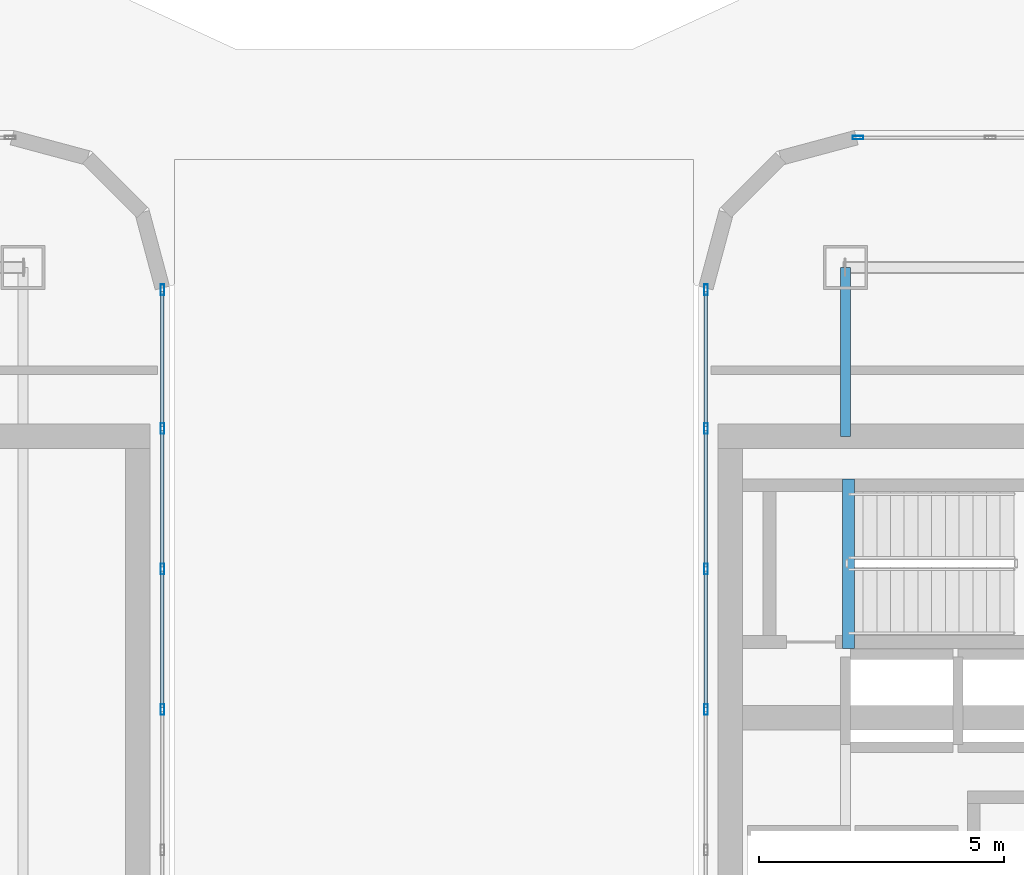
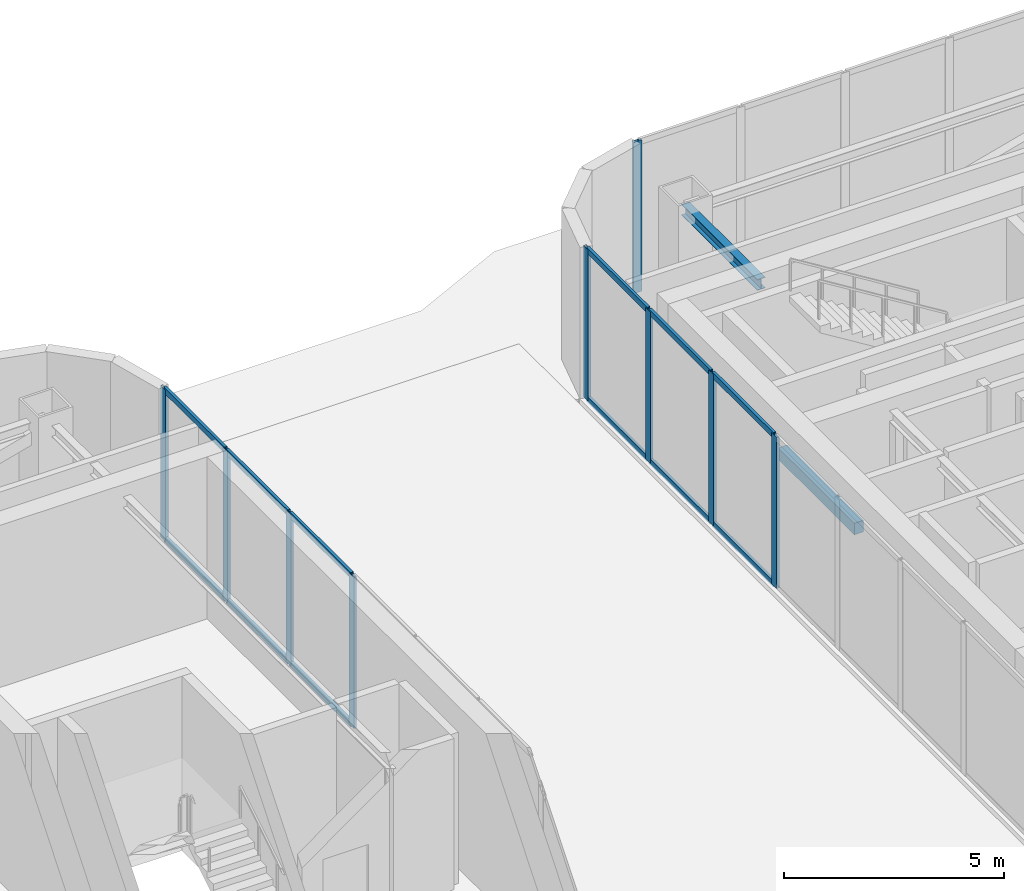
# One storey, part 5 of 14: 21 members, 2 beams, 3 elements without a shape of their own.
"""IFC4 building model written with IfcOpenShell, lengths in metres."""

from ifc_helpers import new_model, si_unit, direction, frame, origin, origin_2d, place, context, subcontext, project, spatial, rectangle, hollow_rectangle, i_section, extrude, material, layer, layer_set, material_profile, profile_set, type_object, element, aggregate, save


model = new_model("IFC4")

# Units and contexts
model_context = context("Model", 3, precision=1e-05, world=origin(), true_north=direction((0.0, 1.0)))
body_context = subcontext(model_context, "Body", "Model", "MODEL_VIEW")
ifc_project = project(units=[si_unit("LENGTHUNIT", "METRE"), si_unit("AREAUNIT", "SQUARE_METRE"), si_unit("VOLUMEUNIT", "CUBIC_METRE"), si_unit("PLANEANGLEUNIT", "RADIAN"), si_unit("MASSUNIT", "GRAM", prefix="KILO")], contexts=[model_context])

# Site, building, storey
site_placement = place(None, origin())
site = spatial("IfcSite", under=ifc_project, at=site_placement, CompositionType="ELEMENT")
building_placement = place(site_placement, origin())
building = spatial("IfcBuilding", under=site, at=building_placement, Name="Kiyonajd Concourse Tower", CompositionType="ELEMENT")
storey_placement = place(building_placement, frame((0.0, 0.0, 354.89990234375)))
storey = spatial("IfcBuildingStorey", under=building, at=storey_placement, Name="L89", CompositionType="ELEMENT", Elevation=354.89990234375)

# Beams
ifc_material_1 = material(Name="Steel ASTM A992 Grade 50", Category="steel")
ifc_material_profile_1 = material_profile(ifc_material_1, i_section(OverallWidth=0.2041015625, OverallDepth=0.305908203125, WebThickness=0.008544921875, FlangeThickness=0.0146484375, at=origin_2d()), Name="W310X67")
ifc_profile_set_1 = profile_set([ifc_material_profile_1], Name="Steel ASTM A992 Grade 50")
beam_type_1 = type_object("IfcBeamType", Name="BM-CRN-310", PredefinedType="BEAM", material=ifc_profile_set_1)
beam_1_placement = place(storey_placement, frame((56.39990234375, 44.14990234375, 4.007080078125), z_axis=(0.0, 1.0, 0.0), x_axis=(-1.0, 0.0, 0.0)))
element("IfcBeam", 1, at=beam_1_placement, inside=storey, type_object=beam_type_1, Name="L89 E Crown Ring Beam 4N", PredefinedType="BEAM", context=body_context, shape_type="SweptSolid", body=[
    extrude(i_section(OverallWidth=0.2041015625, OverallDepth=0.305908203125, WebThickness=0.008544921875, FlangeThickness=0.0146484375, at=origin_2d()), origin(), (0.0, 0.0, 1.0), 3.4501953125),
])
ifc_material_2 = material(Name="Concrete C50/60", Category="concrete")
ifc_material_profile_2 = material_profile(ifc_material_2, rectangle(XDim=0.239990234375, YDim=0.320068359375, at=origin_2d()), Name="RCBM-240x320")
ifc_profile_set_2 = profile_set([ifc_material_profile_2], Name="Concrete C50/60")
beam_type_2 = type_object("IfcBeamType", Name="BM-LNT-250", PredefinedType="LINTEL", material=ifc_profile_set_2)
beam_2_placement = place(storey_placement, frame((56.4599609375, 39.820068359375, -0.159912109375), z_axis=(0.0, 1.0, 0.0), x_axis=(-1.0, 0.0, 0.0)))
element("IfcBeam", 2, at=beam_2_placement, inside=storey, type_object=beam_type_2, Name="L89 Stair ST3 Threshold Support Beam", PredefinedType="LINTEL", context=body_context, shape_type="SweptSolid", body=[
    extrude(rectangle(XDim=0.239990234375, YDim=0.320068359375, at=origin_2d()), origin(), (0.0, 0.0, 1.0), 3.4599609375),
])

# Curtain wall, members
ifc_material_3 = material(Name="Thermally Broken Anodised Aluminium", Category="aluminium")
ifc_layer = layer(ifc_material_3, 0.179931640625)
ifc_layer_set = layer_set([ifc_layer], Name="Thermally Broken Anodised Aluminium")
curtain_wall_type = type_object("IfcCurtainWallType", Name="CW-SYS-06", PredefinedType="NOTDEFINED", material=ifc_layer_set)
curtain_wall_1_placement = place(storey_placement, origin())
curtain_wall_1 = element("IfcCurtainWall", 3, at=curtain_wall_1_placement, inside=storey, type_object=curtain_wall_type, Name="L89 Unitised Curtain Wall CW6", PredefinedType="NOTDEFINED")
ifc_material_profile_3 = material_profile(ifc_material_3, hollow_rectangle(XDim=0.074951171875, YDim=0.219970703125, WallThickness=0.0048828125, at=origin_2d()), Name="MULL-75x220")
ifc_profile_set_3 = profile_set([ifc_material_profile_3], Name="Thermally Broken Anodised Aluminium")
member_type_1 = type_object("IfcMemberType", Name="MB-CW-MULL2", PredefinedType="MULLION", material=ifc_profile_set_3)
member_1_placement = place(storey_placement, frame((42.449951171875, 47.142578125, 0.0), z_axis=(0.0, 0.0, 1.0), x_axis=(1.0, 0.0, 0.0)))
member_1 = element("IfcMember", 4, at=member_1_placement, type_object=member_type_1, Name="CW6 mullion 1", PredefinedType="MULLION", context=body_context, shape_type="SweptSolid", body=[
    extrude(hollow_rectangle(XDim=0.074951171875, YDim=0.219970703125, WallThickness=0.0048828125, at=origin_2d()), origin(), (0.0, 0.0, 1.0), 4.2001953125),
])
member_2_placement = place(storey_placement, frame((42.449951171875, 44.31005859375, 0.0), z_axis=(0.0, 0.0, 1.0), x_axis=(1.0, 0.0, 0.0)))
member_2 = element("IfcMember", 5, at=member_2_placement, type_object=member_type_1, Name="CW6 mullion 2", PredefinedType="MULLION", context=body_context, shape_type="SweptSolid", body=[
    extrude(hollow_rectangle(XDim=0.074951171875, YDim=0.219970703125, WallThickness=0.0048828125, at=origin_2d()), origin(), (0.0, 0.0, 1.0), 4.2001953125),
])
member_3_placement = place(storey_placement, frame((42.449951171875, 41.440185546875, 0.0), z_axis=(0.0, 0.0, 1.0), x_axis=(1.0, 0.0, 0.0)))
member_3 = element("IfcMember", 6, at=member_3_placement, type_object=member_type_1, Name="CW6 mullion 3", PredefinedType="MULLION", context=body_context, shape_type="SweptSolid", body=[
    extrude(hollow_rectangle(XDim=0.074951171875, YDim=0.219970703125, WallThickness=0.0048828125, at=origin_2d()), origin(), (0.0, 0.0, 1.0), 4.2001953125),
])
member_4_placement = place(storey_placement, frame((42.449951171875, 38.570068359375, 0.0), z_axis=(0.0, 0.0, 1.0), x_axis=(1.0, 0.0, 0.0)))
member_4 = element("IfcMember", 7, at=member_4_placement, type_object=member_type_1, Name="CW6 mullion 4", PredefinedType="MULLION", context=body_context, shape_type="SweptSolid", body=[
    extrude(hollow_rectangle(XDim=0.074951171875, YDim=0.219970703125, WallThickness=0.0048828125, at=origin_2d()), origin(), (0.0, 0.0, 1.0), 4.2001953125),
])

curtain_wall_2_placement = place(storey_placement, origin())
curtain_wall_2 = element("IfcCurtainWall", 8, at=curtain_wall_2_placement, inside=storey, type_object=curtain_wall_type, Name="L89 Unitised Curtain Wall CW6", PredefinedType="NOTDEFINED")
member_5_placement = place(storey_placement, frame((53.550048828125, 38.570068359375, 0.0), z_axis=(0.0, 0.0, 1.0), x_axis=(-1.0, 0.0, 0.0)))
member_5 = element("IfcMember", 9, at=member_5_placement, type_object=member_type_1, Name="CW6 mullion 6", PredefinedType="MULLION", context=body_context, shape_type="SweptSolid", body=[
    extrude(hollow_rectangle(XDim=0.074951171875, YDim=0.219970703125, WallThickness=0.0048828125, at=origin_2d()), origin(), (0.0, 0.0, 1.0), 4.2001953125),
])
member_6_placement = place(storey_placement, frame((53.550048828125, 41.440185546875, 0.0), z_axis=(0.0, 0.0, 1.0), x_axis=(-1.0, 0.0, 0.0)))
member_6 = element("IfcMember", 10, at=member_6_placement, type_object=member_type_1, Name="CW6 mullion 7", PredefinedType="MULLION", context=body_context, shape_type="SweptSolid", body=[
    extrude(hollow_rectangle(XDim=0.074951171875, YDim=0.219970703125, WallThickness=0.0048828125, at=origin_2d()), origin(), (0.0, 0.0, 1.0), 4.2001953125),
])
member_7_placement = place(storey_placement, frame((53.550048828125, 44.31005859375, 0.0), z_axis=(0.0, 0.0, 1.0), x_axis=(-1.0, 0.0, 0.0)))
member_7 = element("IfcMember", 11, at=member_7_placement, type_object=member_type_1, Name="CW6 mullion 8", PredefinedType="MULLION", context=body_context, shape_type="SweptSolid", body=[
    extrude(hollow_rectangle(XDim=0.074951171875, YDim=0.219970703125, WallThickness=0.0048828125, at=origin_2d()), origin(), (0.0, 0.0, 1.0), 4.2001953125),
])
member_8_placement = place(storey_placement, frame((53.550048828125, 47.142578125, 0.0), z_axis=(0.0, 0.0, 1.0), x_axis=(-1.0, 0.0, 0.0)))
member_8 = element("IfcMember", 12, at=member_8_placement, type_object=member_type_1, Name="CW6 mullion 9", PredefinedType="MULLION", context=body_context, shape_type="SweptSolid", body=[
    extrude(hollow_rectangle(XDim=0.074951171875, YDim=0.219970703125, WallThickness=0.0048828125, at=origin_2d()), origin(), (0.0, 0.0, 1.0), 4.2001953125),
])

# Curtain wall, member
curtain_wall_3_placement = place(storey_placement, origin())
curtain_wall_3 = element("IfcCurtainWall", 13, at=curtain_wall_3_placement, inside=storey, type_object=curtain_wall_type, Name="L89 Unitised Curtain Wall CW6", PredefinedType="NOTDEFINED")
member_9_placement = place(storey_placement, frame((56.6572265625, 50.25, 0.0), z_axis=(0.0, 0.0, 1.0), x_axis=(0.0, 1.0, 0.0)))
member_9 = element("IfcMember", 14, at=member_9_placement, type_object=member_type_1, Name="CW6 mullion 1", PredefinedType="MULLION", context=body_context, shape_type="SweptSolid", body=[
    extrude(hollow_rectangle(XDim=0.074951171875, YDim=0.219970703125, WallThickness=0.0048828125, at=origin_2d()), origin(), (0.0, 0.0, 1.0), 4.2001953125),
])
aggregate(curtain_wall_3, [member_9])

# Member
ifc_material_profile_4 = material_profile(ifc_material_3, hollow_rectangle(XDim=0.074951171875, YDim=0.159912109375, WallThickness=0.0048828125, at=origin_2d()), Name="TRAN-75x160")
ifc_profile_set_4 = profile_set([ifc_material_profile_4], Name="Thermally Broken Anodised Aluminium")
member_type_2 = type_object("IfcMemberType", Name="MB-CW-TRAN2", PredefinedType="USERDEFINED", material=ifc_profile_set_4)
member_10_placement = place(storey_placement, frame((42.449951171875, 47.105224609375, 0.03759765625), z_axis=(0.0, -1.0, 0.0), x_axis=(1.0, 0.0, 0.0)))
member_10 = element("IfcMember", 15, at=member_10_placement, type_object=member_type_2, Name="CW6 transom 1.1", ObjectType="TRANSOM", PredefinedType="USERDEFINED", context=body_context, shape_type="SweptSolid", body=[
    extrude(hollow_rectangle(XDim=0.074951171875, YDim=0.159912109375, WallThickness=0.0048828125, at=origin_2d()), origin(), (0.0, 0.0, 1.0), 2.757568359375),
])

member_11_placement = place(storey_placement, frame((42.449951171875, 47.105224609375, 4.16259765625), z_axis=(0.0, -1.0, 0.0), x_axis=(1.0, 0.0, 0.0)))
member_11 = element("IfcMember", 16, at=member_11_placement, type_object=member_type_2, Name="CW6 transom 1.2", ObjectType="TRANSOM", PredefinedType="USERDEFINED", context=body_context, shape_type="SweptSolid", body=[
    extrude(hollow_rectangle(XDim=0.074951171875, YDim=0.159912109375, WallThickness=0.0048828125, at=origin_2d()), origin(), (0.0, 0.0, 1.0), 2.757568359375),
])

member_12_placement = place(storey_placement, frame((42.449951171875, 44.272705078125, 0.03759765625), z_axis=(0.0, -1.0, 0.0), x_axis=(1.0, 0.0, 0.0)))
member_12 = element("IfcMember", 17, at=member_12_placement, type_object=member_type_2, Name="CW6 transom 2.1", ObjectType="TRANSOM", PredefinedType="USERDEFINED", context=body_context, shape_type="SweptSolid", body=[
    extrude(hollow_rectangle(XDim=0.074951171875, YDim=0.159912109375, WallThickness=0.0048828125, at=origin_2d()), origin(), (0.0, 0.0, 1.0), 2.795166015625),
])

member_13_placement = place(storey_placement, frame((42.449951171875, 44.272705078125, 4.16259765625), z_axis=(0.0, -1.0, 0.0), x_axis=(1.0, 0.0, 0.0)))
member_13 = element("IfcMember", 18, at=member_13_placement, type_object=member_type_2, Name="CW6 transom 2.2", ObjectType="TRANSOM", PredefinedType="USERDEFINED", context=body_context, shape_type="SweptSolid", body=[
    extrude(hollow_rectangle(XDim=0.074951171875, YDim=0.159912109375, WallThickness=0.0048828125, at=origin_2d()), origin(), (0.0, 0.0, 1.0), 2.795166015625),
])

member_14_placement = place(storey_placement, frame((42.449951171875, 41.402587890625, 0.03759765625), z_axis=(0.0, -1.0, 0.0), x_axis=(1.0, 0.0, 0.0)))
member_14 = element("IfcMember", 19, at=member_14_placement, type_object=member_type_2, Name="CW6 transom 3.1", ObjectType="TRANSOM", PredefinedType="USERDEFINED", context=body_context, shape_type="SweptSolid", body=[
    extrude(hollow_rectangle(XDim=0.074951171875, YDim=0.159912109375, WallThickness=0.0048828125, at=origin_2d()), origin(), (0.0, 0.0, 1.0), 2.794921875),
])

member_15_placement = place(storey_placement, frame((42.449951171875, 41.402587890625, 4.16259765625), z_axis=(0.0, -1.0, 0.0), x_axis=(1.0, 0.0, 0.0)))
member_15 = element("IfcMember", 20, at=member_15_placement, type_object=member_type_2, Name="CW6 transom 3.2", ObjectType="TRANSOM", PredefinedType="USERDEFINED", context=body_context, shape_type="SweptSolid", body=[
    extrude(hollow_rectangle(XDim=0.074951171875, YDim=0.159912109375, WallThickness=0.0048828125, at=origin_2d()), origin(), (0.0, 0.0, 1.0), 2.794921875),
])

aggregate(curtain_wall_1, [member_1, member_2, member_3, member_4, member_10, member_11, member_12, member_13, member_14, member_15])

member_16_placement = place(storey_placement, frame((53.550048828125, 38.607666015625, 0.03759765625), z_axis=(0.0, 1.0, 0.0), x_axis=(-1.0, 0.0, 0.0)))
member_16 = element("IfcMember", 21, at=member_16_placement, type_object=member_type_2, Name="CW6 transom 6.1", ObjectType="TRANSOM", PredefinedType="USERDEFINED", context=body_context, shape_type="SweptSolid", body=[
    extrude(hollow_rectangle(XDim=0.074951171875, YDim=0.159912109375, WallThickness=0.0048828125, at=origin_2d()), origin(), (0.0, 0.0, 1.0), 2.794921875),
])

member_17_placement = place(storey_placement, frame((53.550048828125, 38.607666015625, 4.16259765625), z_axis=(0.0, 1.0, 0.0), x_axis=(-1.0, 0.0, 0.0)))
member_17 = element("IfcMember", 22, at=member_17_placement, type_object=member_type_2, Name="CW6 transom 6.2", ObjectType="TRANSOM", PredefinedType="USERDEFINED", context=body_context, shape_type="SweptSolid", body=[
    extrude(hollow_rectangle(XDim=0.074951171875, YDim=0.159912109375, WallThickness=0.0048828125, at=origin_2d()), origin(), (0.0, 0.0, 1.0), 2.794921875),
])

member_18_placement = place(storey_placement, frame((53.550048828125, 41.4775390625, 0.03759765625), z_axis=(0.0, 1.0, 0.0), x_axis=(-1.0, 0.0, 0.0)))
member_18 = element("IfcMember", 23, at=member_18_placement, type_object=member_type_2, Name="CW6 transom 7.1", ObjectType="TRANSOM", PredefinedType="USERDEFINED", context=body_context, shape_type="SweptSolid", body=[
    extrude(hollow_rectangle(XDim=0.074951171875, YDim=0.159912109375, WallThickness=0.0048828125, at=origin_2d()), origin(), (0.0, 0.0, 1.0), 2.795166015625),
])

member_19_placement = place(storey_placement, frame((53.550048828125, 41.4775390625, 4.16259765625), z_axis=(0.0, 1.0, 0.0), x_axis=(-1.0, 0.0, 0.0)))
member_19 = element("IfcMember", 24, at=member_19_placement, type_object=member_type_2, Name="CW6 transom 7.2", ObjectType="TRANSOM", PredefinedType="USERDEFINED", context=body_context, shape_type="SweptSolid", body=[
    extrude(hollow_rectangle(XDim=0.074951171875, YDim=0.159912109375, WallThickness=0.0048828125, at=origin_2d()), origin(), (0.0, 0.0, 1.0), 2.795166015625),
])

member_20_placement = place(storey_placement, frame((53.550048828125, 44.34765625, 0.03759765625), z_axis=(0.0, 1.0, 0.0), x_axis=(-1.0, 0.0, 0.0)))
member_20 = element("IfcMember", 25, at=member_20_placement, type_object=member_type_2, Name="CW6 transom 8.1", ObjectType="TRANSOM", PredefinedType="USERDEFINED", context=body_context, shape_type="SweptSolid", body=[
    extrude(hollow_rectangle(XDim=0.074951171875, YDim=0.159912109375, WallThickness=0.0048828125, at=origin_2d()), origin(), (0.0, 0.0, 1.0), 2.757568359375),
])

member_21_placement = place(storey_placement, frame((53.550048828125, 44.34765625, 4.16259765625), z_axis=(0.0, 1.0, 0.0), x_axis=(-1.0, 0.0, 0.0)))
member_21 = element("IfcMember", 26, at=member_21_placement, type_object=member_type_2, Name="CW6 transom 8.2", ObjectType="TRANSOM", PredefinedType="USERDEFINED", context=body_context, shape_type="SweptSolid", body=[
    extrude(hollow_rectangle(XDim=0.074951171875, YDim=0.159912109375, WallThickness=0.0048828125, at=origin_2d()), origin(), (0.0, 0.0, 1.0), 2.757568359375),
])

aggregate(curtain_wall_2, [member_5, member_6, member_7, member_8, member_16, member_17, member_18, member_19, member_20, member_21])

save(model, "model.ifc")
